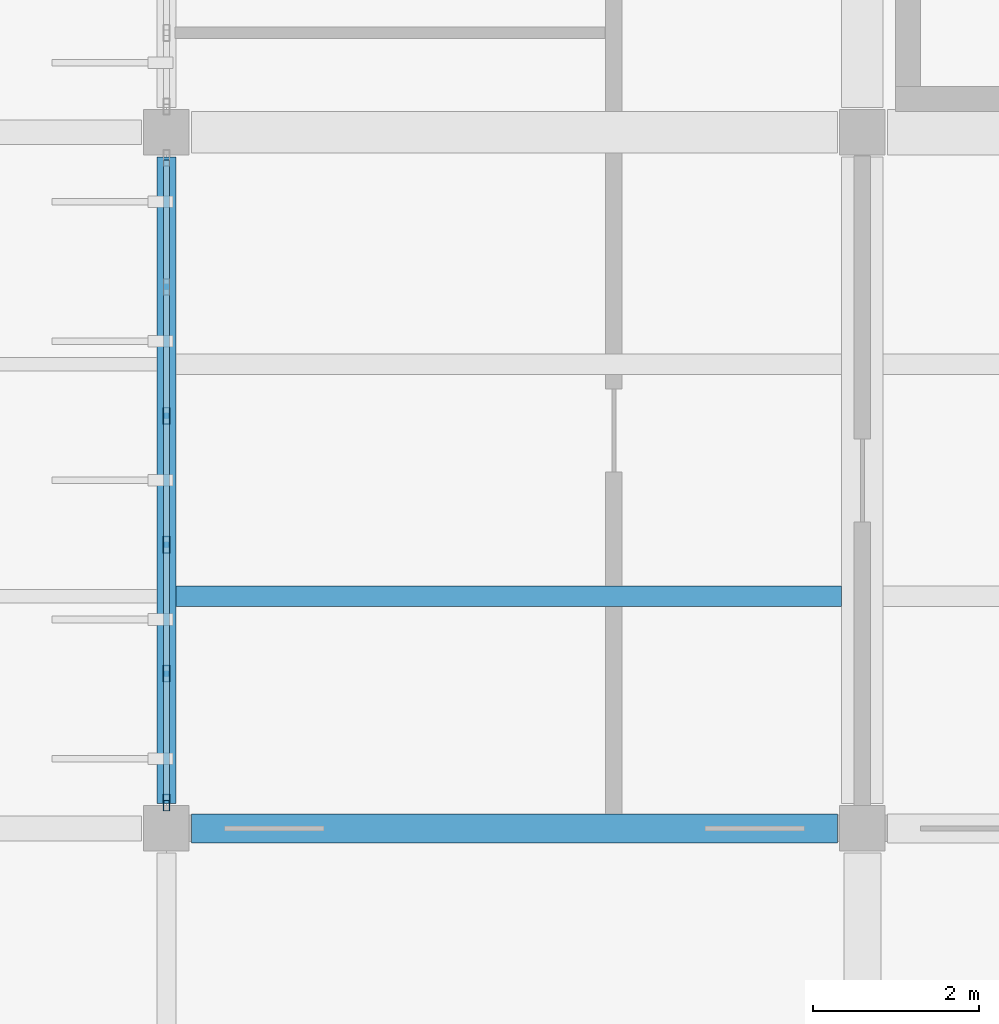
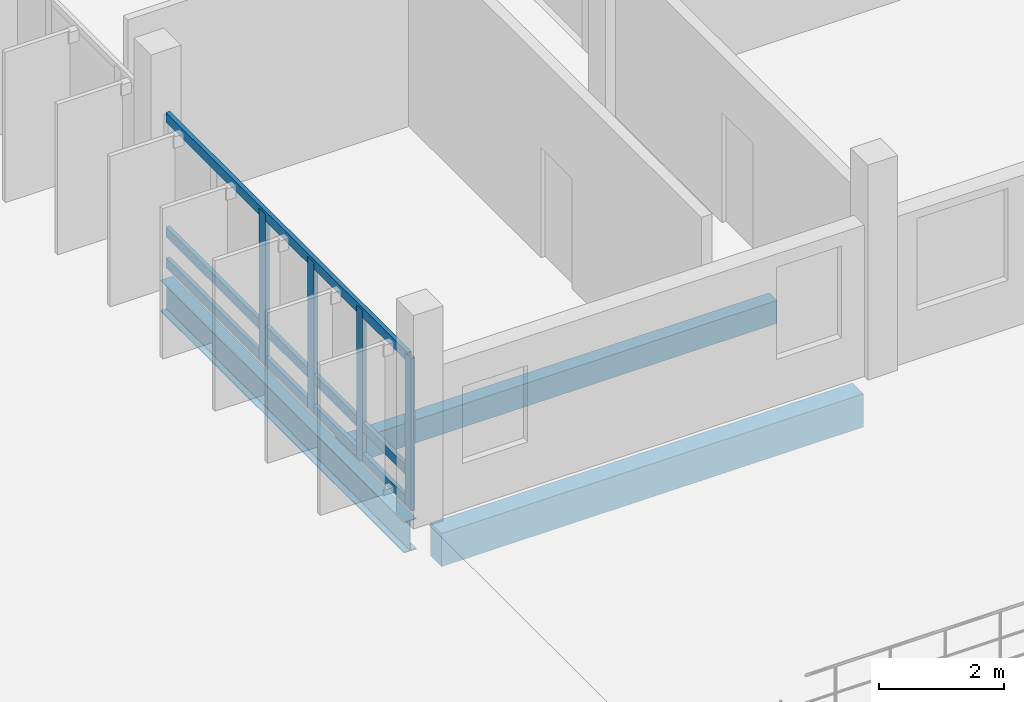
# One storey, part 13 of 130: 7 members, 3 beams, 1 element without a shape of its own.
"""IFC4 building model written with IfcOpenShell, lengths in metres."""

from ifc_helpers import new_model, si_unit, direction, frame, origin, origin_2d, place, context, subcontext, project, spatial, rectangle, hollow_rectangle, i_section, extrude, material, layer, layer_set, material_profile, profile_set, type_object, element, aggregate, save


model = new_model("IFC4")

# Units and contexts
model_context = context("Model", 3, precision=1e-05, world=origin(), true_north=direction((0.0, 1.0)))
body_context = subcontext(model_context, "Body", "Model", "MODEL_VIEW")
ifc_project = project(units=[si_unit("LENGTHUNIT", "METRE"), si_unit("AREAUNIT", "SQUARE_METRE"), si_unit("VOLUMEUNIT", "CUBIC_METRE"), si_unit("PLANEANGLEUNIT", "RADIAN"), si_unit("MASSUNIT", "GRAM", prefix="KILO")], contexts=[model_context])

# Site, building, storey
site_placement = place(None, origin())
site = spatial("IfcSite", under=ifc_project, at=site_placement, CompositionType="ELEMENT")
building_placement = place(site_placement, origin())
building = spatial("IfcBuilding", under=site, at=building_placement, Name="Vireocrest Preparatory School", CompositionType="ELEMENT")
storey_placement = place(building_placement, frame((0.0, 0.0, 9.0)))
storey = spatial("IfcBuildingStorey", under=building, at=storey_placement, Name="L02", CompositionType="ELEMENT", Elevation=9.0)

# Curtain wall, members
ifc_material_1 = material(Name="Thermally broken aluminium EN AW-6063-T6", Category="aluminium")
ifc_layer = layer(ifc_material_1, 0.179931640625)
ifc_layer_set = layer_set([ifc_layer], Name="Thermally broken aluminium EN AW-6063-T6")
curtain_wall_type = type_object("IfcCurtainWallType", Name="Teaching Fin Curtain Wall 8400x4200", PredefinedType="USERDEFINED", material=ifc_layer_set)
curtain_wall_placement = place(storey_placement, origin())
curtain_wall = element("IfcCurtainWall", 1, at=curtain_wall_placement, inside=storey, type_object=curtain_wall_type, Name="Curtain Wall CW03 CW_L02_CW03_0420_0356_090", ObjectType="CURTAIN WALL", PredefinedType="USERDEFINED")
ifc_material_profile_1 = material_profile(ifc_material_1, hollow_rectangle(XDim=0.074951171875, YDim=0.199951171875, WallThickness=0.0048828125, at=origin_2d()), Name="ALU 75x200x5")
ifc_profile_set_1 = profile_set([ifc_material_profile_1], Name="Thermally broken aluminium EN AW-6063-T6")
member_type_1 = type_object("IfcMemberType", Name="CW Mullion 75x200x5", PredefinedType="MULLION", material=ifc_profile_set_1)
member_1_placement = place(storey_placement, frame((42.0, 35.7099609375, 0.0), z_axis=(0.0, 0.0, 1.0), x_axis=(1.0, 0.0, 0.0)))
member_1 = element("IfcMember", 2, at=member_1_placement, type_object=member_type_1, Name="CW Mullion ML3 CW_L02_CW03_0420_0356_090-1", PredefinedType="MULLION", context=body_context, shape_type="SweptSolid", body=[
    extrude(hollow_rectangle(XDim=0.074951171875, YDim=0.199951171875, WallThickness=0.0048828125, at=origin_2d()), origin(), (0.0, 0.0, 1.0), 2.97509765625),
])
member_2_placement = place(storey_placement, frame((42.0, 37.26611328125, 0.0), z_axis=(0.0, 0.0, 1.0), x_axis=(1.0, 0.0, 0.0)))
member_2 = element("IfcMember", 3, at=member_2_placement, type_object=member_type_1, Name="CW Mullion ML3 CW_L02_CW03_0420_0356_090-2", PredefinedType="MULLION", context=body_context, shape_type="SweptSolid", body=[
    extrude(hollow_rectangle(XDim=0.074951171875, YDim=0.199951171875, WallThickness=0.0048828125, at=origin_2d()), origin(), (0.0, 0.0, 1.0), 2.97509765625),
])
member_3_placement = place(storey_placement, frame((42.0, 38.822021484375, 0.0), z_axis=(0.0, 0.0, 1.0), x_axis=(1.0, 0.0, 0.0)))
member_3 = element("IfcMember", 4, at=member_3_placement, type_object=member_type_1, Name="CW Mullion ML3 CW_L02_CW03_0420_0356_090-3", PredefinedType="MULLION", context=body_context, shape_type="SweptSolid", body=[
    extrude(hollow_rectangle(XDim=0.074951171875, YDim=0.199951171875, WallThickness=0.0048828125, at=origin_2d()), origin(), (0.0, 0.0, 1.0), 2.97509765625),
])
member_4_placement = place(storey_placement, frame((42.0, 40.3779296875, 0.0), z_axis=(0.0, 0.0, 1.0), x_axis=(1.0, 0.0, 0.0)))
member_4 = element("IfcMember", 5, at=member_4_placement, type_object=member_type_1, Name="CW Mullion ML3 CW_L02_CW03_0420_0356_090-4", PredefinedType="MULLION", context=body_context, shape_type="SweptSolid", body=[
    extrude(hollow_rectangle(XDim=0.074951171875, YDim=0.199951171875, WallThickness=0.0048828125, at=origin_2d()), origin(), (0.0, 0.0, 1.0), 2.97509765625),
])
ifc_material_profile_2 = material_profile(ifc_material_1, hollow_rectangle(XDim=0.074951171875, YDim=0.18994140625, WallThickness=0.00390625, at=origin_2d()), Name="ALU 75x190x4")
ifc_profile_set_2 = profile_set([ifc_material_profile_2], Name="Thermally broken aluminium EN AW-6063-T6")
member_type_2 = type_object("IfcMemberType", Name="CW Transom 75x190x4", PredefinedType="USERDEFINED", material=ifc_profile_set_2)
member_5_placement = place(storey_placement, frame((42.0, 35.735107421875, 0.094970703125), z_axis=(0.0, 1.0, 0.0), x_axis=(-1.0, 0.0, 0.0)))
member_5 = element("IfcMember", 6, at=member_5_placement, type_object=member_type_2, Name="CW Transom TR3 CW_L02_CW03_0420_0356_090-1", ObjectType="TRANSOM", PredefinedType="USERDEFINED", context=body_context, shape_type="SweptSolid", body=[
    extrude(hollow_rectangle(XDim=0.074951171875, YDim=0.18994140625, WallThickness=0.00390625, at=origin_2d()), origin(), (0.0, 0.0, 1.0), 7.72998046875),
])
member_6_placement = place(storey_placement, frame((42.0, 35.735107421875, 0.699951171875), z_axis=(0.0, 1.0, 0.0), x_axis=(-1.0, 0.0, 0.0)))
member_6 = element("IfcMember", 7, at=member_6_placement, type_object=member_type_2, Name="CW Transom TR3 CW_L02_CW03_0420_0356_090-2", ObjectType="TRANSOM", PredefinedType="USERDEFINED", context=body_context, shape_type="SweptSolid", body=[
    extrude(hollow_rectangle(XDim=0.074951171875, YDim=0.18994140625, WallThickness=0.00390625, at=origin_2d()), origin(), (0.0, 0.0, 1.0), 7.72998046875),
])
member_7_placement = place(storey_placement, frame((42.0, 35.735107421875, 2.93505859375), z_axis=(0.0, 1.0, 0.0), x_axis=(-1.0, 0.0, 0.0)))
member_7 = element("IfcMember", 8, at=member_7_placement, type_object=member_type_2, Name="CW Transom TR3 CW_L02_CW03_0420_0356_090-3", ObjectType="TRANSOM", PredefinedType="USERDEFINED", context=body_context, shape_type="SweptSolid", body=[
    extrude(hollow_rectangle(XDim=0.074951171875, YDim=0.18994140625, WallThickness=0.00390625, at=origin_2d()), origin(), (0.0, 0.0, 1.0), 7.72998046875),
])
aggregate(curtain_wall, [member_1, member_2, member_3, member_4, member_5, member_6, member_7])

# Beams
ifc_material_2 = material(Name="Structural steel ASTM A992 Grade 50", Category="steel")
ifc_material_profile_3 = material_profile(ifc_material_2, i_section(OverallWidth=0.22802734375, OverallDepth=0.60791015625, WebThickness=0.01123046875, FlangeThickness=0.017333984375, FilletRadius=0.01611328125, at=origin_2d()), Name="W24X76")
ifc_profile_set_3 = profile_set([ifc_material_profile_3], Name="Structural steel ASTM A992 Grade 50")
beam_type_1 = type_object("IfcBeamType", Name="Gallery Steel Girder W24X76", PredefinedType="BEAM", material=ifc_profile_set_3)
beam_1_placement = place(storey_placement, frame((42.0, 35.699951171875, -0.5439453125), z_axis=(0.0, 1.0, 0.0), x_axis=(-1.0, 0.0, 0.0)))
element("IfcBeam", 9, at=beam_1_placement, inside=storey, type_object=beam_type_1, Name="Primary Girder SB3 L02-0789", PredefinedType="BEAM", context=body_context, shape_type="SweptSolid", body=[
    extrude(i_section(OverallWidth=0.22802734375, OverallDepth=0.60791015625, WebThickness=0.01123046875, FlangeThickness=0.017333984375, FilletRadius=0.01611328125, at=origin_2d()), origin(), (0.0, 0.0, 1.0), 7.800048828125),
])
ifc_material_3 = material(Name="Concrete 40 MPa", Category="concrete")
ifc_material_profile_4 = material_profile(ifc_material_3, rectangle(XDim=0.35009765625, YDim=0.64990234375, at=origin_2d()), Name="RC 350x650")
ifc_profile_set_4 = profile_set([ifc_material_profile_4], Name="Concrete 40 MPa")
beam_type_2 = type_object("IfcBeamType", Name="RC Classroom Girder 350x650", PredefinedType="BEAM", material=ifc_profile_set_4)
beam_2_placement = place(storey_placement, frame((42.300048828125, 35.39990234375, -0.64501953125), z_axis=(1.0, 0.0, 0.0), x_axis=(0.0, 1.0, 0.0)))
element("IfcBeam", 10, at=beam_2_placement, inside=storey, type_object=beam_type_2, Name="Primary Girder B05 L02-0705", PredefinedType="BEAM", context=body_context, shape_type="SweptSolid", body=[
    extrude(rectangle(XDim=0.35009765625, YDim=0.64990234375, at=origin_2d()), origin(), (0.0, 0.0, 1.0), 7.800048828125),
])
ifc_material_profile_5 = material_profile(ifc_material_3, rectangle(XDim=0.25, YDim=0.449951171875, at=origin_2d()), Name="RC 250x450")
ifc_profile_set_5 = profile_set([ifc_material_profile_5], Name="Concrete 40 MPa")
beam_type_3 = type_object("IfcBeamType", Name="RC Secondary Floor Joist 250x450", PredefinedType="JOIST", material=ifc_profile_set_5)
beam_3_placement = place(storey_placement, frame((42.114013671875, 38.199951171875, -0.465087890625), z_axis=(1.0, 0.0, 0.0), x_axis=(0.0, 1.0, 0.0)))
element("IfcBeam", 11, at=beam_3_placement, inside=storey, type_object=beam_type_3, Name="Secondary Joist J01 L02-0892", PredefinedType="JOIST", context=body_context, shape_type="SweptSolid", body=[
    extrude(rectangle(XDim=0.25, YDim=0.449951171875, at=origin_2d()), origin(), (0.0, 0.0, 1.0), 8.035888671875),
])

save(model, "model.ifc")
